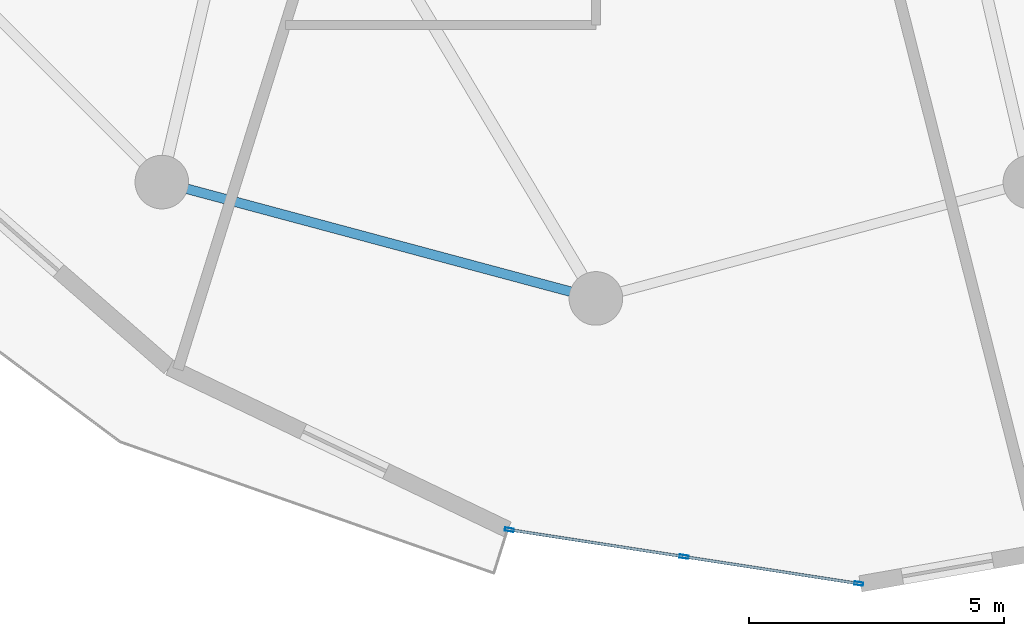
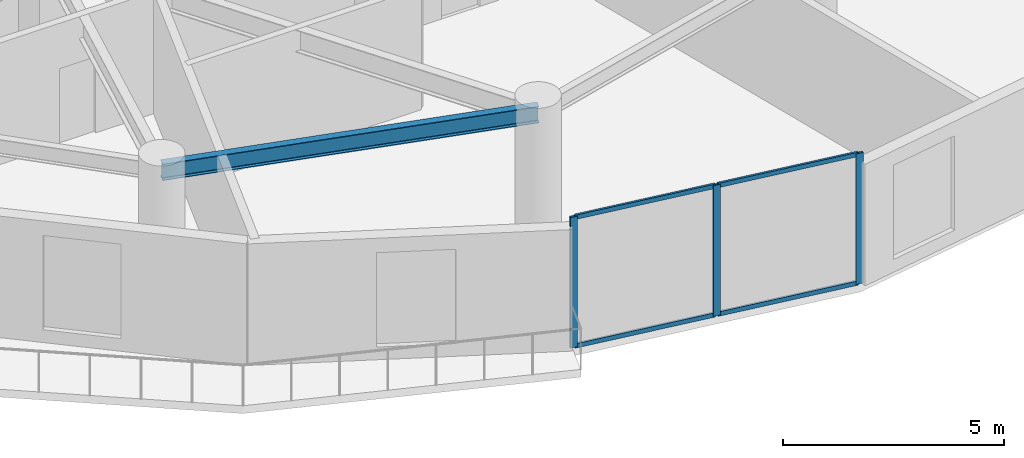
# One storey, part 2 of 20: 7 members, 1 beam, 1 element without a shape of its own.
"""IFC4 building model written with IfcOpenShell, lengths in metres."""

from ifc_helpers import new_model, si_unit, direction, frame, origin, origin_2d, place, context, subcontext, project, spatial, hollow_rectangle, i_section, extrude, source, transform, mapped, material, layer, layer_set, material_profile, profile_set, type_object, element, aggregate, save


model = new_model("IFC4")

# Units and contexts
model_context = context("Model", 3, precision=1e-05, world=origin(), true_north=direction((0.0, 1.0)))
body_context = subcontext(model_context, "Body", "Model", "MODEL_VIEW")
ifc_project = project(units=[si_unit("LENGTHUNIT", "METRE"), si_unit("AREAUNIT", "SQUARE_METRE"), si_unit("VOLUMEUNIT", "CUBIC_METRE"), si_unit("PLANEANGLEUNIT", "RADIAN"), si_unit("MASSUNIT", "GRAM", prefix="KILO")], contexts=[model_context])

# Site, building, storey
site_placement = place(None, origin())
site = spatial("IfcSite", under=ifc_project, at=site_placement, CompositionType="ELEMENT")
building_placement = place(site_placement, origin())
building = spatial("IfcBuilding", under=site, at=building_placement, Name="Solvirekh Grand Hotel", CompositionType="ELEMENT")
storey_placement = place(building_placement, frame((0.0, 0.0, 156.60009765625)))
storey = spatial("IfcBuildingStorey", under=building, at=storey_placement, Name="L40", CompositionType="ELEMENT", Elevation=156.60009765625)

# Beam
ifc_material_1 = material(Name="Steel S355", Category="steel")
ifc_material_profile_1 = material_profile(ifc_material_1, i_section(OverallWidth=0.18994140625, OverallDepth=0.45703125, WebThickness=0.009033203125, FlangeThickness=0.013916015625, FilletRadius=0.012939453125, at=origin_2d()), Name="W460X74")
ifc_profile_set_1 = profile_set([ifc_material_profile_1], Name="Steel S355")
beam_type = type_object("IfcBeamType", Name="Spandrel_Ring_W460", PredefinedType="SPANDREL", material=ifc_profile_set_1)
beam_placement = place(storey_placement, frame((-8.5, -14.721923828125, 3.120849609375), z_axis=(0.965911391906, -0.258872908946, 0.0), x_axis=(0.258872908946, 0.965911391906, 0.0)))
element("IfcBeam", 1, at=beam_placement, inside=storey, type_object=beam_type, Name="L40 perimeter spandrel beam 9", PredefinedType="SPANDREL", context=body_context, shape_type="SweptSolid", body=[
    extrude(i_section(OverallWidth=0.18994140625, OverallDepth=0.45703125, WebThickness=0.009033203125, FlangeThickness=0.013916015625, FilletRadius=0.012939453125, at=origin_2d()), origin(), (0.0, 0.0, 1.0), 8.800048828125),
])

# Curtain wall, members
ifc_material_2 = material(Name="Anodized Bronze Aluminium 6063-T6", Category="aluminium")
ifc_layer = layer(ifc_material_2, 0.175048828125)
ifc_layer_set = layer_set([ifc_layer], Name="Anodized Bronze Aluminium 6063-T6")
curtain_wall_type = type_object("IfcCurtainWallType", Name="CW_Sys3_MidZoneFlushBronzeCW", PredefinedType="NOTDEFINED", material=ifc_layer_set)
curtain_wall_placement = place(storey_placement, origin())
curtain_wall = element("IfcCurtainWall", 2, at=curtain_wall_placement, inside=storey, type_object=curtain_wall_type, Name="L40 unitised bronze-glass curtain wall CW-L40-C18", PredefinedType="NOTDEFINED")
ifc_material_profile_2 = material_profile(ifc_material_2, hollow_rectangle(XDim=0.06494140625, YDim=0.175048828125, WallThickness=0.0048828125, at=origin_2d()), Name="ALU RHS 175X65X5")
ifc_profile_set_2 = profile_set([ifc_material_profile_2], Name="Anodized Bronze Aluminium 6063-T6")
member_type_1 = type_object("IfcMemberType", Name="CWMullion_Sys3", PredefinedType="MULLION", material=ifc_profile_set_2)
shared_shape_1 = source(origin(), body_context, "Body", "SweptSolid", [
    extrude(hollow_rectangle(XDim=0.06494140625, YDim=0.175048828125, WallThickness=0.0048828125, at=origin_2d()), origin(), (0.0, 0.0, 1.0), 3.599853515625),
])
member_1_placement = place(storey_placement, frame((-1.69580078125, -21.529052734375, 0.0), z_axis=(0.0, 0.0, 1.0), x_axis=(0.152508695606, 0.988302128787, 0.0)))
member_1 = element("IfcMember", 3, at=member_1_placement, type_object=member_type_1, Name="U03 mullion 1", PredefinedType="MULLION", context=body_context, shape_type="MappedRepresentation", body=[
    mapped(shared_shape_1, transform((0.0, 0.0, 0.0), x_axis=(1.0, 0.0, 0.0), y_axis=(0.0, 1.0, 0.0), z_axis=(0.0, 0.0, 1.0), scale=1.0)),
])
member_2_placement = place(storey_placement, frame((1.72607421875, -22.056884765625, 0.0), z_axis=(0.0, 0.0, 1.0), x_axis=(0.152508695606, 0.988302128787, 0.0)))
member_2 = element("IfcMember", 4, at=member_2_placement, type_object=member_type_1, Name="U03 mullion 2", PredefinedType="MULLION", context=body_context, shape_type="MappedRepresentation", body=[
    mapped(shared_shape_1, transform((0.0, 0.0, 0.0), x_axis=(1.0, 0.0, 0.0), y_axis=(0.0, 1.0, 0.0), z_axis=(0.0, 0.0, 1.0), scale=1.0)),
])
member_3_placement = place(storey_placement, frame((5.14794921875, -22.5849609375, 0.0), z_axis=(0.0, 0.0, 1.0), x_axis=(0.152508695606, 0.988302128787, 0.0)))
member_3 = element("IfcMember", 5, at=member_3_placement, type_object=member_type_1, Name="U03 mullion 3", PredefinedType="MULLION", context=body_context, shape_type="MappedRepresentation", body=[
    mapped(shared_shape_1, transform((0.0, 0.0, 0.0), x_axis=(1.0, 0.0, 0.0), y_axis=(0.0, 1.0, 0.0), z_axis=(0.0, 0.0, 1.0), scale=1.0)),
])
ifc_material_profile_3 = material_profile(ifc_material_2, hollow_rectangle(XDim=0.054931640625, YDim=0.1201171875, WallThickness=0.00390625, at=origin_2d()), Name="ALU RHS 120X55X4")
ifc_profile_set_3 = profile_set([ifc_material_profile_3], Name="Anodized Bronze Aluminium 6063-T6")
member_type_2 = type_object("IfcMemberType", Name="CWTransom_Sys3", PredefinedType="USERDEFINED", material=ifc_profile_set_3)
shared_shape_2 = source(origin(), body_context, "Body", "SweptSolid", [
    extrude(hollow_rectangle(XDim=0.054931640625, YDim=0.1201171875, WallThickness=0.00390625, at=origin_2d()), origin(), (0.0, 0.0, 1.0), 3.3974609375),
])
member_4_placement = place(storey_placement, frame((-1.663818359375, -21.533935546875, 0.02734375), z_axis=(0.988305142147, -0.152489166846, 0.0), x_axis=(0.152489166846, 0.988305142147, 0.0)))
member_4 = element("IfcMember", 6, at=member_4_placement, type_object=member_type_2, Name="U03 transom 1.1", ObjectType="TRANSOM", PredefinedType="USERDEFINED", context=body_context, shape_type="MappedRepresentation", body=[
    mapped(shared_shape_2, transform((0.0, 0.0, 0.0), x_axis=(1.0, 0.0, 0.0), y_axis=(0.0, 1.0, 0.0), z_axis=(0.0, 0.0, 1.0), scale=1.0)),
])
member_5_placement = place(storey_placement, frame((-1.663818359375, -21.533935546875, 3.572509765625), z_axis=(0.988305142147, -0.152489166846, 0.0), x_axis=(0.152489166846, 0.988305142147, 0.0)))
member_5 = element("IfcMember", 7, at=member_5_placement, type_object=member_type_2, Name="U03 transom 1.2", ObjectType="TRANSOM", PredefinedType="USERDEFINED", context=body_context, shape_type="MappedRepresentation", body=[
    mapped(shared_shape_2, transform((0.0, 0.0, 0.0), x_axis=(1.0, 0.0, 0.0), y_axis=(0.0, 1.0, 0.0), z_axis=(0.0, 0.0, 1.0), scale=1.0)),
])
member_6_placement = place(storey_placement, frame((1.758056640625, -22.06201171875, 0.02734375), z_axis=(0.988305142147, -0.152489166846, 0.0), x_axis=(0.152489166846, 0.988305142147, 0.0)))
member_6 = element("IfcMember", 8, at=member_6_placement, type_object=member_type_2, Name="U03 transom 2.1", ObjectType="TRANSOM", PredefinedType="USERDEFINED", context=body_context, shape_type="MappedRepresentation", body=[
    mapped(shared_shape_2, transform((0.0, 0.0, 0.0), x_axis=(1.0, 0.0, 0.0), y_axis=(0.0, 1.0, 0.0), z_axis=(0.0, 0.0, 1.0), scale=1.0)),
])
member_7_placement = place(storey_placement, frame((1.758056640625, -22.06201171875, 3.572509765625), z_axis=(0.988305142147, -0.152489166846, 0.0), x_axis=(0.152489166846, 0.988305142147, 0.0)))
member_7 = element("IfcMember", 9, at=member_7_placement, type_object=member_type_2, Name="U03 transom 2.2", ObjectType="TRANSOM", PredefinedType="USERDEFINED", context=body_context, shape_type="MappedRepresentation", body=[
    mapped(shared_shape_2, transform((0.0, 0.0, 0.0), x_axis=(1.0, 0.0, 0.0), y_axis=(0.0, 1.0, 0.0), z_axis=(0.0, 0.0, 1.0), scale=1.0)),
])
aggregate(curtain_wall, [member_1, member_2, member_3, member_4, member_5, member_6, member_7])

save(model, "model.ifc")
